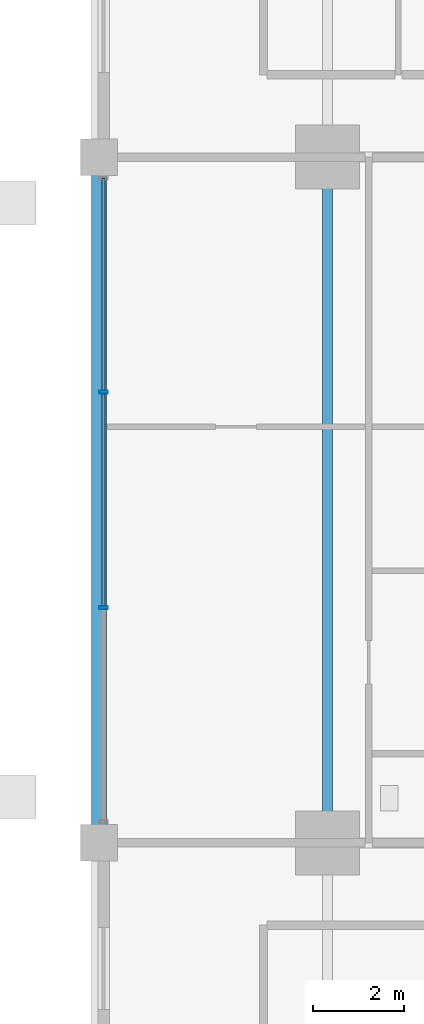
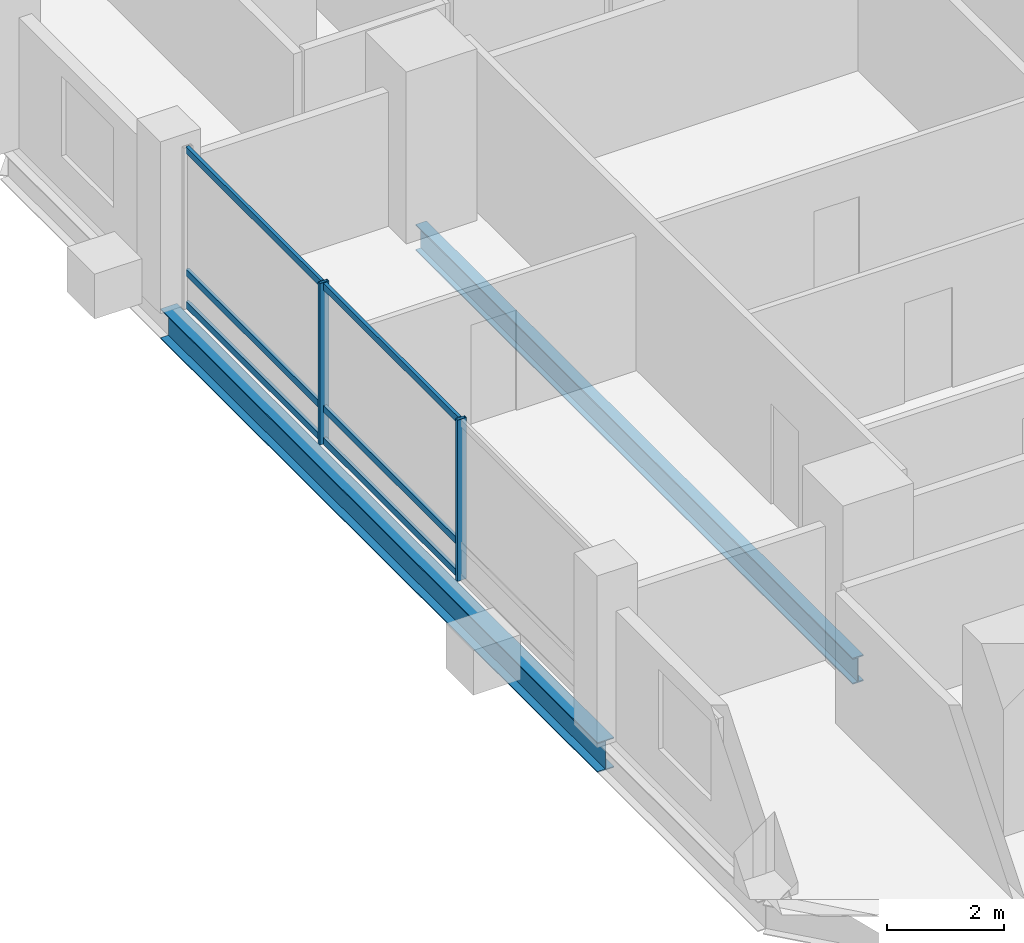
# One storey, part 6 of 24: 8 members, 2 beams, 1 element without a shape of its own.
"""IFC4 building model written with IfcOpenShell, lengths in metres."""

from ifc_helpers import new_model, si_unit, direction, frame, origin, origin_2d, place, context, subcontext, project, spatial, hollow_rectangle, i_section, extrude, material, layer, layer_set, material_profile, profile_set, type_object, element, aggregate, save


model = new_model("IFC4")

# Units and contexts
model_context = context("Model", 3, precision=1e-05, world=origin(), true_north=direction((0.0, 1.0)))
body_context = subcontext(model_context, "Body", "Model", "MODEL_VIEW")
ifc_project = project(units=[si_unit("LENGTHUNIT", "METRE"), si_unit("AREAUNIT", "SQUARE_METRE"), si_unit("VOLUMEUNIT", "CUBIC_METRE"), si_unit("PLANEANGLEUNIT", "RADIAN"), si_unit("MASSUNIT", "GRAM", prefix="KILO")], contexts=[model_context])

# Site, building, storey
site_placement = place(None, origin())
site = spatial("IfcSite", under=ifc_project, at=site_placement, CompositionType="ELEMENT")
building_placement = place(site_placement, origin())
building = spatial("IfcBuilding", under=site, at=building_placement, Name="Barlavira Tower and Art Museum", CompositionType="ELEMENT")
storey_placement = place(building_placement, frame((0.0, 0.0, 43.199951171875)))
storey = spatial("IfcBuildingStorey", under=building, at=storey_placement, Name="L09", CompositionType="ELEMENT", Elevation=43.199951171875)

# Curtain wall, members
ifc_material_1 = material(Name="Low-iron coastal laminated glass", Category="glass")
ifc_layer = layer(ifc_material_1, 0.179931640625, Name="Low-iron coastal laminated glass")
ifc_layer_set = layer_set([ifc_layer], Name="Low-iron coastal laminated glass")
curtain_wall_type = type_object("IfcCurtainWallType", Name="Pale-Metal Unitised Curtain Wall Zone 1", PredefinedType="NOTDEFINED", material=ifc_layer_set)
curtain_wall_placement = place(storey_placement, origin())
curtain_wall = element("IfcCurtainWall", 1, at=curtain_wall_placement, inside=storey, type_object=curtain_wall_type, Name="L09 Curtain Wall CW1-L09-W-B3", PredefinedType="NOTDEFINED")
ifc_material_2 = material(Name="Pale anodised aluminium", Category="aluminium")
ifc_material_profile_1 = material_profile(ifc_material_2, hollow_rectangle(XDim=0.06494140625, YDim=0.179931640625, WallThickness=0.00390625, at=origin_2d()), Name="ALU-MULL 65x180x4")
ifc_profile_set_1 = profile_set([ifc_material_profile_1], Name="Pale anodised aluminium")
member_type_1 = type_object("IfcMemberType", Name="Curtain Wall Pale-Metal Mullion 65x180", PredefinedType="MULLION", material=ifc_profile_set_1)
member_1_placement = place(storey_placement, frame((-21.89990234375, 2.360107421875, 0.0), z_axis=(0.0, 0.0, 1.0), x_axis=(0.0, -1.0, 0.0)))
member_1 = element("IfcMember", 2, at=member_1_placement, type_object=member_type_1, Name="CW1-L09-W-B3 Mullion 1", PredefinedType="MULLION", context=body_context, shape_type="SweptSolid", body=[
    extrude(hollow_rectangle(XDim=0.06494140625, YDim=0.179931640625, WallThickness=0.00390625, at=origin_2d()), origin(), (0.0, 0.0, 1.0), 3.380126953125),
])
member_2_placement = place(storey_placement, frame((-21.89990234375, -2.360107421875, 0.0), z_axis=(0.0, 0.0, 1.0), x_axis=(0.0, -1.0, 0.0)))
member_2 = element("IfcMember", 3, at=member_2_placement, type_object=member_type_1, Name="CW1-L09-W-B3 Mullion 2", PredefinedType="MULLION", context=body_context, shape_type="SweptSolid", body=[
    extrude(hollow_rectangle(XDim=0.06494140625, YDim=0.179931640625, WallThickness=0.00390625, at=origin_2d()), origin(), (0.0, 0.0, 1.0), 3.380126953125),
])
ifc_material_profile_2 = material_profile(ifc_material_2, hollow_rectangle(XDim=0.06494140625, YDim=0.139892578125, WallThickness=0.00390625, at=origin_2d()), Name="ALU-TRAN 65x140x4")
ifc_profile_set_2 = profile_set([ifc_material_profile_2], Name="Pale anodised aluminium")
member_type_2 = type_object("IfcMemberType", Name="Curtain Wall Pale-Metal Transom 65x140", PredefinedType="USERDEFINED", material=ifc_profile_set_2)
member_3_placement = place(storey_placement, frame((-21.89990234375, 7.034912109375, 0.070068359375), z_axis=(0.0, -1.0, 0.0), x_axis=(1.0, 0.0, 0.0)))
member_3 = element("IfcMember", 4, at=member_3_placement, type_object=member_type_2, Name="CW1-L09-W-B3 Transom 0.1", ObjectType="TRANSOM", PredefinedType="USERDEFINED", context=body_context, shape_type="SweptSolid", body=[
    extrude(hollow_rectangle(XDim=0.06494140625, YDim=0.139892578125, WallThickness=0.00390625, at=origin_2d()), origin(), (0.0, 0.0, 1.0), 4.6298828125),
])
member_4_placement = place(storey_placement, frame((-21.89990234375, 7.034912109375, 0.744140625), z_axis=(0.0, -1.0, 0.0), x_axis=(1.0, 0.0, 0.0)))
member_4 = element("IfcMember", 5, at=member_4_placement, type_object=member_type_2, Name="CW1-L09-W-B3 Transom 0.2", ObjectType="TRANSOM", PredefinedType="USERDEFINED", context=body_context, shape_type="SweptSolid", body=[
    extrude(hollow_rectangle(XDim=0.06494140625, YDim=0.139892578125, WallThickness=0.00390625, at=origin_2d()), origin(), (0.0, 0.0, 1.0), 4.6298828125),
])
member_5_placement = place(storey_placement, frame((-21.89990234375, 7.034912109375, 3.31005859375), z_axis=(0.0, -1.0, 0.0), x_axis=(1.0, 0.0, 0.0)))
member_5 = element("IfcMember", 6, at=member_5_placement, type_object=member_type_2, Name="CW1-L09-W-B3 Transom 0.3", ObjectType="TRANSOM", PredefinedType="USERDEFINED", context=body_context, shape_type="SweptSolid", body=[
    extrude(hollow_rectangle(XDim=0.06494140625, YDim=0.139892578125, WallThickness=0.00390625, at=origin_2d()), origin(), (0.0, 0.0, 1.0), 4.6298828125),
])
member_6_placement = place(storey_placement, frame((-21.89990234375, 2.31494140625, 0.070068359375), z_axis=(0.0, -1.0, 0.0), x_axis=(1.0, 0.0, 0.0)))
member_6 = element("IfcMember", 7, at=member_6_placement, type_object=member_type_2, Name="CW1-L09-W-B3 Transom 1.1", ObjectType="TRANSOM", PredefinedType="USERDEFINED", context=body_context, shape_type="SweptSolid", body=[
    extrude(hollow_rectangle(XDim=0.06494140625, YDim=0.139892578125, WallThickness=0.00390625, at=origin_2d()), origin(), (0.0, 0.0, 1.0), 4.6298828125),
])
member_7_placement = place(storey_placement, frame((-21.89990234375, 2.31494140625, 0.744140625), z_axis=(0.0, -1.0, 0.0), x_axis=(1.0, 0.0, 0.0)))
member_7 = element("IfcMember", 8, at=member_7_placement, type_object=member_type_2, Name="CW1-L09-W-B3 Transom 1.2", ObjectType="TRANSOM", PredefinedType="USERDEFINED", context=body_context, shape_type="SweptSolid", body=[
    extrude(hollow_rectangle(XDim=0.06494140625, YDim=0.139892578125, WallThickness=0.00390625, at=origin_2d()), origin(), (0.0, 0.0, 1.0), 4.6298828125),
])
member_8_placement = place(storey_placement, frame((-21.89990234375, 2.31494140625, 3.31005859375), z_axis=(0.0, -1.0, 0.0), x_axis=(1.0, 0.0, 0.0)))
member_8 = element("IfcMember", 9, at=member_8_placement, type_object=member_type_2, Name="CW1-L09-W-B3 Transom 1.3", ObjectType="TRANSOM", PredefinedType="USERDEFINED", context=body_context, shape_type="SweptSolid", body=[
    extrude(hollow_rectangle(XDim=0.06494140625, YDim=0.139892578125, WallThickness=0.00390625, at=origin_2d()), origin(), (0.0, 0.0, 1.0), 4.6298828125),
])
aggregate(curtain_wall, [member_1, member_2, member_3, member_4, member_5, member_6, member_7, member_8])

# Beams
ifc_material_3 = material(Name="Steel S355", Category="steel")
ifc_material_profile_3 = material_profile(ifc_material_3, i_section(OverallWidth=0.327880859375, OverallDepth=0.62890625, WebThickness=0.013916015625, FlangeThickness=0.021484375, at=origin_2d()), Name="W610x174.0")
ifc_profile_set_3 = profile_set([ifc_material_profile_3], Name="Steel S355")
beam_type_1 = type_object("IfcBeamType", Name="Perimeter Spandrel Edge Beam W610x174 Steel S355", PredefinedType="SPANDREL", material=ifc_profile_set_3)
beam_1_placement = place(storey_placement, frame((-22.0, -7.5, -0.534423828125), z_axis=(0.0, 1.0, 0.0), x_axis=(-1.0, 0.0, 0.0)))
element("IfcBeam", 10, at=beam_1_placement, inside=storey, type_object=beam_type_1, Name="L09 Spandrel 14", PredefinedType="SPANDREL", context=body_context, shape_type="SweptSolid", body=[
    extrude(i_section(OverallWidth=0.327880859375, OverallDepth=0.62890625, WebThickness=0.013916015625, FlangeThickness=0.021484375, at=origin_2d()), origin(), (0.0, 0.0, 1.0), 15.0),
])
ifc_material_profile_4 = material_profile(ifc_material_3, i_section(OverallWidth=0.214111328125, OverallDepth=0.549072265625, WebThickness=0.0146484375, FlangeThickness=0.023681640625, at=origin_2d()), Name="W530x138.0")
ifc_profile_set_4 = profile_set([ifc_material_profile_4], Name="Steel S355")
beam_type_2 = type_object("IfcBeamType", Name="Zone 1 Primary Floor Girder W530x138 Steel S355", PredefinedType="BEAM", material=ifc_profile_set_4)
beam_2_placement = place(storey_placement, frame((-17.0, -7.5, -0.494384765625), z_axis=(0.0, 1.0, 0.0), x_axis=(-1.0, 0.0, 0.0)))
element("IfcBeam", 11, at=beam_2_placement, inside=storey, type_object=beam_type_2, Name="L09 Girder M-W2", PredefinedType="BEAM", context=body_context, shape_type="SweptSolid", body=[
    extrude(i_section(OverallWidth=0.214111328125, OverallDepth=0.549072265625, WebThickness=0.0146484375, FlangeThickness=0.023681640625, at=origin_2d()), origin(), (0.0, 0.0, 1.0), 15.0),
])

save(model, "model.ifc")
